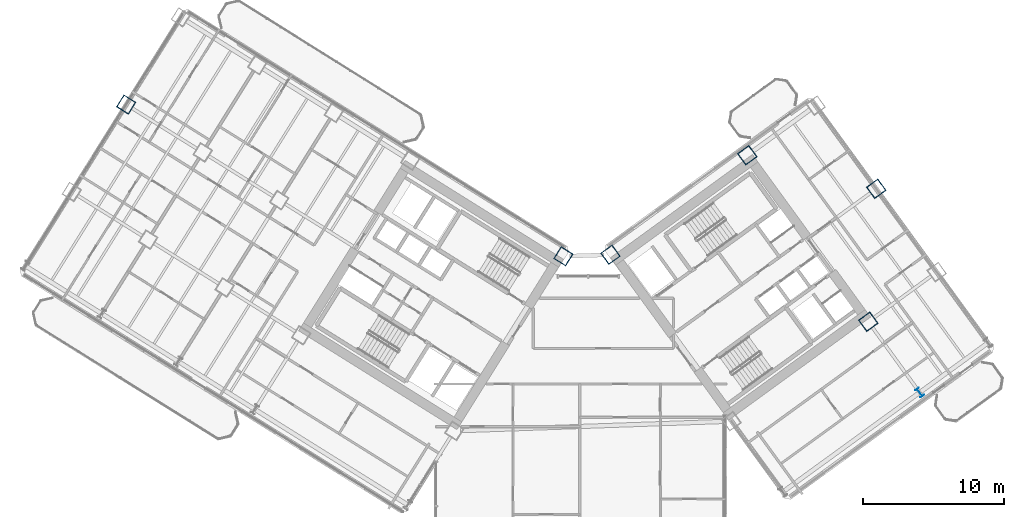
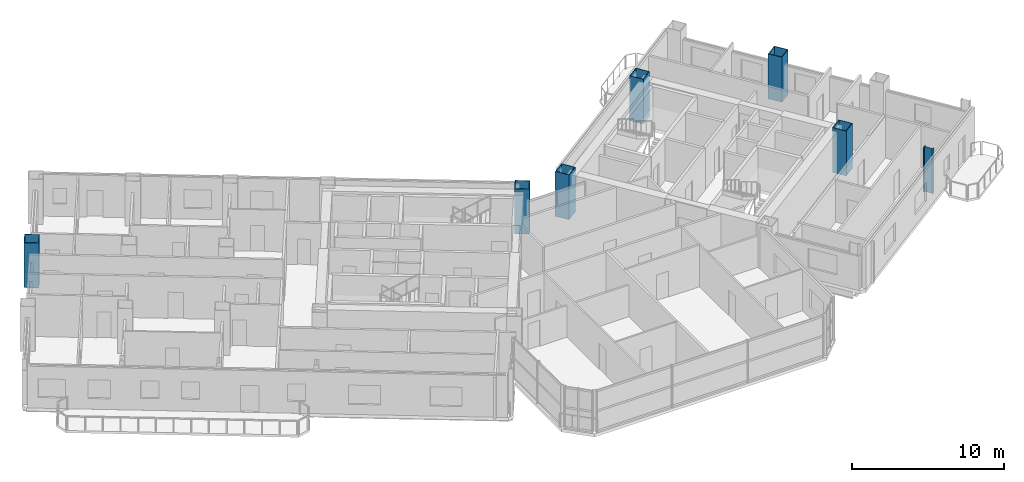
# One storey, part 2 of 28: 7 columns.
"""IFC4 building model written with IfcOpenShell, lengths in metres."""

from ifc_helpers import new_model, si_unit, direction, frame, origin, origin_2d, place, context, subcontext, project, spatial, hollow_rectangle, i_section, extrude, source, transform, mapped, material, material_profile, profile_set, type_object, element, save


model = new_model("IFC4")

# Units and contexts
model_context = context("Model", 3, precision=1e-05, world=origin(), true_north=direction((0.0, 1.0)))
body_context = subcontext(model_context, "Body", "Model", "MODEL_VIEW")
ifc_project = project(units=[si_unit("LENGTHUNIT", "METRE"), si_unit("AREAUNIT", "SQUARE_METRE"), si_unit("VOLUMEUNIT", "CUBIC_METRE"), si_unit("PLANEANGLEUNIT", "RADIAN"), si_unit("MASSUNIT", "GRAM", prefix="KILO")], contexts=[model_context])

# Site, building, storey
site_placement = place(None, origin())
site = spatial("IfcSite", under=ifc_project, at=site_placement, CompositionType="ELEMENT")
building_placement = place(site_placement, origin())
building = spatial("IfcBuilding", under=site, at=building_placement, Name="Tlacorven Tower", CompositionType="ELEMENT")
storey_placement = place(building_placement, frame((0.0, 0.0, 49.199951171875)))
storey = spatial("IfcBuildingStorey", under=building, at=storey_placement, Name="L12", CompositionType="ELEMENT", Elevation=49.199951171875)

# Columns
ifc_material = material(Name="Steel S460M", Category="steel")
ifc_material_profile_1 = material_profile(ifc_material, hollow_rectangle(XDim=1.0, YDim=1.0, WallThickness=0.0400390625, at=origin_2d()), Name="BOX 1000X1000X40")
ifc_profile_set_1 = profile_set([ifc_material_profile_1], Name="Steel S460M")
column_type_1 = type_object("IfcColumnType", Name="COL-TWR-S1", PredefinedType="COLUMN", material=ifc_profile_set_1)
shared_shape_1 = source(origin(), body_context, "Body", "SweptSolid", [
    extrude(hollow_rectangle(XDim=1.0, YDim=1.0, WallThickness=0.0400390625, at=origin_2d()), origin(), (0.0, 0.0, 1.0), 3.60009765625),
])
for number, where, z_axis, x_axis, name in (
    (1, (40.782958984375, 24.468505859375, 0.0), (0.0, 0.0, 1.0), (-0.848048096156, 0.529919264233, 0.0), "L12 column COL-L12-W1-1"),
    (2, (9.777099609375, 35.235107421875, 0.0), (0.0, 0.0, 1.0), (-0.848048096156, 0.529919264233, 0.0), "L12 column COL-L12-W6-2"),
    (3, (44.123779296875, 24.5849609375, 0.0), (0.0, 0.0, 1.0), (0.809016994375, 0.587785252292, 0.0), "L12 column COL-L12-E1-4"),
    (4, (62.41357421875, 19.826904296875, 0.0), (0.0, 0.0, 1.0), (0.809016994375, 0.587785252292, 0.0), "L12 column COL-L12-E3-2"),
    (5, (53.83203125, 31.638427734375, 0.0), (0.0, 0.0, 1.0), (0.809016994375, 0.587785252292, 0.0), "L12 column COL-L12-E3-4"),
    (6, (62.976806640625, 29.25927734375, 0.0), (0.0, 0.0, 1.0), (0.809016994375, 0.587785252292, 0.0), "L12 column COL-L12-E4-3"),
):
    element("IfcColumn", number, at=place(storey_placement, frame(where, z_axis=z_axis, x_axis=x_axis)), inside=storey, type_object=column_type_1, Name=name, PredefinedType="COLUMN", context=body_context, shape_type="MappedRepresentation", body=[
        mapped(shared_shape_1, transform((0.0, 0.0, 0.0), scale=1.0)),
    ])
ifc_material_profile_2 = material_profile(ifc_material, i_section(OverallWidth=0.300048828125, OverallDepth=0.64990234375, WebThickness=0.01611328125, FlangeThickness=0.031005859375, at=origin_2d()), Name="HEB 650")
ifc_profile_set_2 = profile_set([ifc_material_profile_2], Name="Steel S460M")
column_type_2 = type_object("IfcColumnType", Name="COL-TWR-P1", PredefinedType="COLUMN", material=ifc_profile_set_2)
shared_shape_2 = source(origin(), body_context, "Body", "SweptSolid", [
    extrude(i_section(OverallWidth=0.300048828125, OverallDepth=0.64990234375, WebThickness=0.01611328125, FlangeThickness=0.031005859375, at=origin_2d()), origin(), (0.0, 0.0, 1.0), 3.60009765625),
])
column_placement = place(storey_placement, frame((66.057861328125, 14.81103515625, 0.0), z_axis=(0.0, 0.0, 1.0), x_axis=(0.809016994375, 0.587785252292, 0.0)))
element("IfcColumn", 7, at=column_placement, inside=storey, type_object=column_type_2, Name="L12 column COL-L12-E3-1", PredefinedType="COLUMN", context=body_context, shape_type="MappedRepresentation", body=[
    mapped(shared_shape_2, transform((0.0, 0.0, 0.0), scale=1.0)),
])

save(model, "model.ifc")
